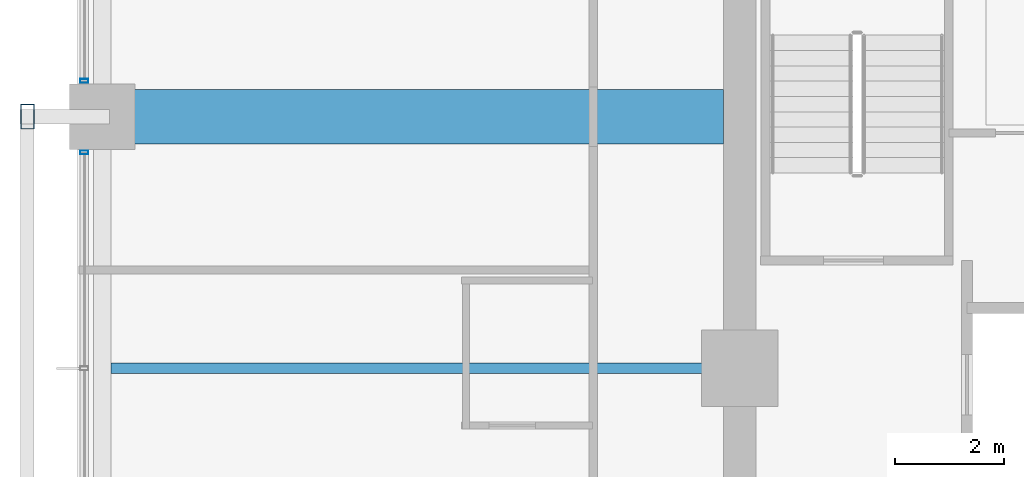
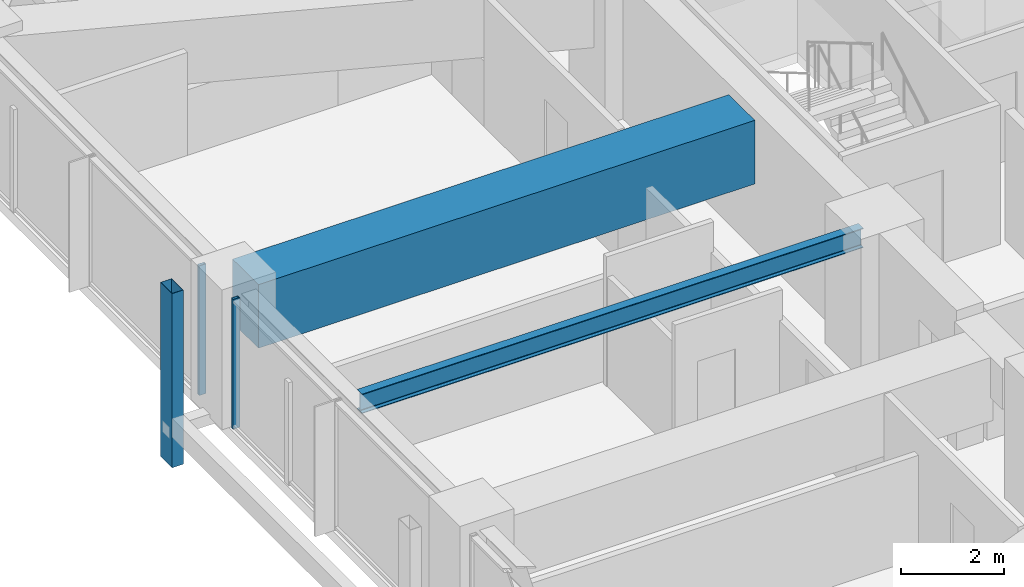
# One storey, part 9 of 37: 3 members, 2 beams, 2 elements without a shape of their own.
"""IFC4 building model written with IfcOpenShell, lengths in metres."""

from ifc_helpers import new_model, si_unit, direction, frame, origin, origin_2d, place, context, subcontext, project, spatial, rectangle, hollow_rectangle, i_section, extrude, material, material_profile, profile_set, type_object, element, aggregate, save


model = new_model("IFC4")

# Units and contexts
model_context = context("Model", 3, precision=1e-05, world=origin(), true_north=direction((0.0, 1.0)))
body_context = subcontext(model_context, "Body", "Model", "MODEL_VIEW")
ifc_project = project(units=[si_unit("LENGTHUNIT", "METRE"), si_unit("AREAUNIT", "SQUARE_METRE"), si_unit("VOLUMEUNIT", "CUBIC_METRE"), si_unit("PLANEANGLEUNIT", "RADIAN"), si_unit("MASSUNIT", "GRAM", prefix="KILO")], contexts=[model_context])

# Site, building, storey
site_placement = place(None, origin())
site = spatial("IfcSite", under=ifc_project, at=site_placement, CompositionType="ELEMENT")
building_placement = place(site_placement, origin())
building = spatial("IfcBuilding", under=site, at=building_placement, Name="Kolvaren Belvedere", CompositionType="ELEMENT")
storey_placement = place(building_placement, frame((0.0, 0.0, 43.60009765625)))
storey = spatial("IfcBuildingStorey", under=building, at=storey_placement, Name="L12", CompositionType="ELEMENT", Elevation=43.60009765625)

# Beams
ifc_material_1 = material(Name="Structural steel ASTM A992 Grade 50", Category="steel")
ifc_material_profile_1 = material_profile(ifc_material_1, i_section(OverallWidth=0.19091796875, OverallDepth=0.4599609375, WebThickness=0.010009765625, FlangeThickness=0.01611328125, FilletRadius=0.014892578125, at=origin_2d()), Name="W18X55")
ifc_profile_set_1 = profile_set([ifc_material_profile_1], Name="Structural steel ASTM A992 Grade 50")
beam_type_1 = type_object("IfcBeamType", Name="BM-JOIST-W18X55", PredefinedType="BEAM", material=ifc_profile_set_1)
beam_1_placement = place(storey_placement, frame((-10.199951171875, 0.0, 2.829833984375), z_axis=(-1.0, 0.0, 0.0), x_axis=(0.0, -1.0, 0.0)))
element("IfcBeam", 1, at=beam_1_placement, inside=storey, type_object=beam_type_1, Name="L12 West Centre Floor Beam", PredefinedType="BEAM", context=body_context, shape_type="SweptSolid", body=[
    extrude(i_section(OverallWidth=0.19091796875, OverallDepth=0.4599609375, WebThickness=0.010009765625, FlangeThickness=0.01611328125, FilletRadius=0.014892578125, at=origin_2d()), origin(), (0.0, 0.0, 1.0), 11.1875),
])
ifc_material_2 = material(Name="Concrete C50/60", Category="concrete")
ifc_material_profile_2 = material_profile(ifc_material_2, rectangle(XDim=1.0, YDim=1.5, at=origin_2d()), Name="RC 1000X1500")
ifc_profile_set_2 = profile_set([ifc_material_profile_2], Name="Concrete C50/60")
beam_type_2 = type_object("IfcBeamType", Name="BM-TG-1500", PredefinedType="BEAM", material=ifc_profile_set_2)
beam_2_placement = place(storey_placement, frame((-10.199951171875, 4.60009765625, 2.309814453125), z_axis=(-1.0, 0.0, 0.0), x_axis=(0.0, -1.0, 0.0)))
element("IfcBeam", 2, at=beam_2_placement, inside=storey, type_object=beam_type_2, Name="L12 West Radial Girder P", PredefinedType="BEAM", context=body_context, shape_type="SweptSolid", body=[
    extrude(rectangle(XDim=1.0, YDim=1.5, at=origin_2d()), origin(), (0.0, 0.0, 1.0), 11.080078125),
])

# Curtain wall, member
ifc_material_3 = material(Name="Anodised pale-metal aluminium AA 6063-T6", Category="aluminium")
curtain_wall_type = type_object("IfcCurtainWallType", Name="CW-Z1-LOW", PredefinedType="NOTDEFINED", material=ifc_material_3)
curtain_wall_1_placement = place(storey_placement, origin())
curtain_wall_1 = element("IfcCurtainWall", 3, at=curtain_wall_1_placement, inside=storey, type_object=curtain_wall_type, Name="L12 Unitised Curtain Wall FCW-L12-W-B2", PredefinedType="NOTDEFINED")
ifc_material_4 = material(Name="Anodised pale-metal aluminium AA 6063-T6", Category="aluminium")
ifc_material_profile_3 = material_profile(ifc_material_4, hollow_rectangle(XDim=0.070068359375, YDim=0.14990234375, WallThickness=0.004150390625, at=origin_2d()), Name="ALU-MUL-150X70")
ifc_profile_set_3 = profile_set([ifc_material_profile_3], Name="Anodised pale-metal aluminium AA 6063-T6")
member_type_1 = type_object("IfcMemberType", Name="CW-MUL-150", PredefinedType="MULLION", material=ifc_profile_set_3)
member_1_placement = place(storey_placement, frame((-21.8798828125, 3.945068359375, 0.0), z_axis=(0.0, 0.0, 1.0), x_axis=(0.0, 1.0, 0.0)))
member_1 = element("IfcMember", 4, at=member_1_placement, type_object=member_type_1, Name="FCW-L12-W-B2 Unitised Mullion 3", PredefinedType="MULLION", context=body_context, shape_type="SweptSolid", body=[
    extrude(hollow_rectangle(XDim=0.070068359375, YDim=0.14990234375, WallThickness=0.004150390625, at=origin_2d()), origin(), (0.0, 0.0, 1.0), 3.059814453125),
])
aggregate(curtain_wall_1, [member_1])

curtain_wall_2_placement = place(storey_placement, origin())
curtain_wall_2 = element("IfcCurtainWall", 5, at=curtain_wall_2_placement, inside=storey, type_object=curtain_wall_type, Name="L12 Unitised Curtain Wall FCW-L12-W-B3", PredefinedType="NOTDEFINED")
member_2_placement = place(storey_placement, frame((-21.8798828125, 5.2548828125, 0.0), z_axis=(0.0, 0.0, 1.0), x_axis=(0.0, 1.0, 0.0)))
member_2 = element("IfcMember", 6, at=member_2_placement, type_object=member_type_1, Name="FCW-L12-W-B3 Unitised Mullion 1", PredefinedType="MULLION", context=body_context, shape_type="SweptSolid", body=[
    extrude(hollow_rectangle(XDim=0.070068359375, YDim=0.14990234375, WallThickness=0.004150390625, at=origin_2d()), origin(), (0.0, 0.0, 1.0), 3.059814453125),
])
aggregate(curtain_wall_2, [member_2])

# Member
ifc_material_5 = material(Name="Anodised pale-metal aluminium AA 6063-T6", Category="aluminium")
ifc_material_profile_4 = material_profile(ifc_material_5, hollow_rectangle(XDim=0.25, YDim=0.449951171875, WallThickness=0.008544921875, at=origin_2d()), Name="ALU-PF-450X250")
ifc_profile_set_4 = profile_set([ifc_material_profile_4], Name="Anodised pale-metal aluminium AA 6063-T6")
member_type_2 = type_object("IfcMemberType", Name="PF-FRAME-450", PredefinedType="USERDEFINED", material=ifc_profile_set_4)
member_3_placement = place(storey_placement, frame((-22.919921875, 4.60009765625, -0.81005859375), z_axis=(0.0, 0.0, 1.0), x_axis=(1.0, 0.0, 0.0)))
element("IfcMember", 7, at=member_3_placement, inside=storey, type_object=member_type_2, Name="L12 Outboard Picture-Frame Vertical W2", ObjectType="PICTURE FRAME FIN", PredefinedType="USERDEFINED", context=body_context, shape_type="SweptSolid", body=[
    extrude(hollow_rectangle(XDim=0.25, YDim=0.449951171875, WallThickness=0.008544921875, at=origin_2d()), origin(), (0.0, 0.0, 1.0), 4.10986328125),
])

save(model, "model.ifc")
